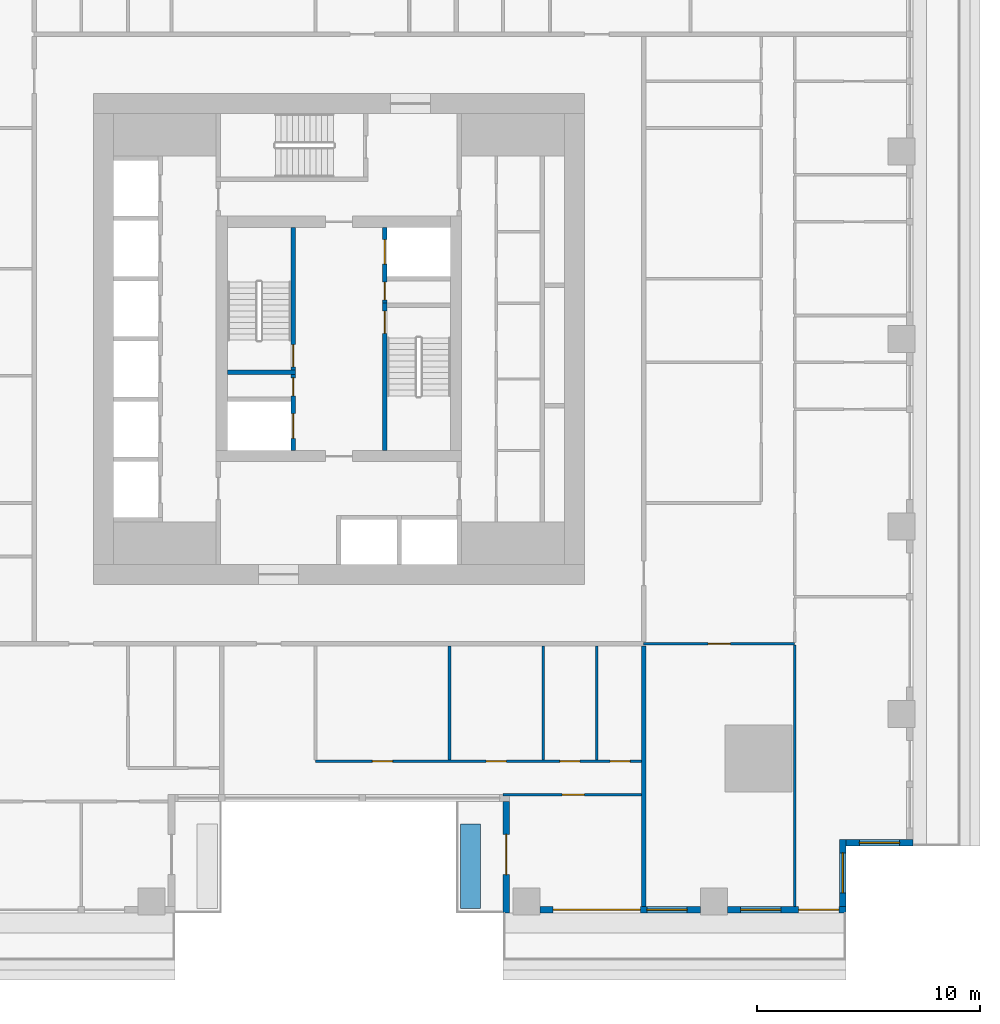
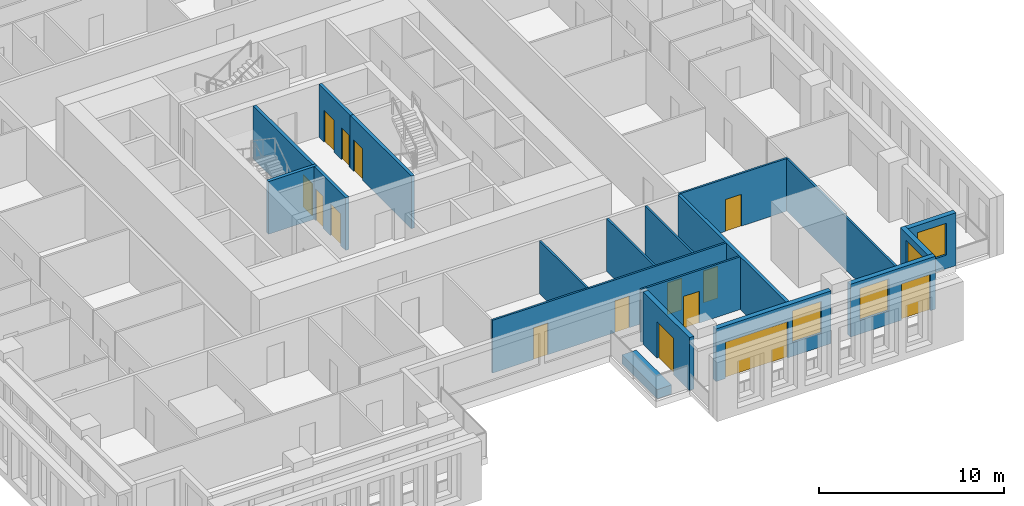
# One storey, part 4 of 15: 19 walls, 15 doors, 4 windows, 19 openings.
"""IFC4 building model written with IfcOpenShell, lengths in metres."""

from ifc_helpers import new_model, si_unit, direction, frame, frame_2d, origin, place, context, subcontext, project, spatial, rectangle, extrude, material, layer, layer_set, type_object, element, fill, save


model = new_model("IFC4")

# Units and contexts
model_context = context("Model", 3, precision=1e-05, world=origin(), true_north=direction((0.0, 1.0)))
body_context = subcontext(model_context, "Body", "Model", "MODEL_VIEW")
ifc_project = project(units=[si_unit("LENGTHUNIT", "METRE"), si_unit("AREAUNIT", "SQUARE_METRE"), si_unit("VOLUMEUNIT", "CUBIC_METRE"), si_unit("PLANEANGLEUNIT", "RADIAN"), si_unit("MASSUNIT", "GRAM", prefix="KILO")], contexts=[model_context])

# Site, building, storey
site_placement = place(None, origin())
site = spatial("IfcSite", under=ifc_project, at=site_placement, CompositionType="ELEMENT")
building_placement = place(site_placement, origin())
building = spatial("IfcBuilding", under=site, at=building_placement, Name="Khepri Terraces", CompositionType="ELEMENT")
storey_placement = place(building_placement, frame((0.0, 0.0, 42.60009765625)))
storey = spatial("IfcBuildingStorey", under=building, at=storey_placement, Name="L09", CompositionType="ELEMENT", Elevation=42.60009765625)

# Wall, opening, door
ifc_material_1 = material(Name="Concrete C80/95", Category="concrete")
ifc_layer_1 = layer(ifc_material_1, 0.199951171875, Name="Concrete C80/95", Category="concrete")
ifc_layer_set_1 = layer_set([ifc_layer_1], Name="Concrete C80/95")
wall_type_1 = type_object("IfcWallType", Name="Core wall 200 C80/95", PredefinedType="SHEAR", material=ifc_layer_set_1)
wall_1_placement = place(storey_placement, frame((2.050048828125, -5.0, 0.0), z_axis=(0.0, 0.0, 1.0), x_axis=(0.0, 1.0, 0.0)))
wall_1 = element("IfcWall", 1, at=wall_1_placement, inside=storey, type_object=wall_type_1, Name="Core wall ST01 L09", PredefinedType="SHEAR", context=body_context, shape_type="SweptSolid", body=[
    extrude(rectangle(XDim=6.60009765625, YDim=0.199951171875, at=frame_2d((3.300048828125, 0.0))), origin(), (0.0, 0.0, 1.0), 3.47998046875),
])
opening_1_placement = place(wall_1_placement, frame((5.25, 0.0, 0.0)))
opening_1 = element("IfcOpeningElement", 2, at=opening_1_placement, cuts=wall_1, Name="Opening L09-C10", PredefinedType="OPENING", context=body_context, shape_type="SweptSolid", body=[
    extrude(rectangle(XDim=1.0, YDim=2.10009765625, at=frame_2d((0.5, 1.050048828125))), frame((0.0, 0.10986328125, 0.0), z_axis=(0.0, -1.0, 0.0), x_axis=(1.0, 0.0, 0.0)), (0.0, 0.0, 1.0), 0.219970703125),
])
ifc_material_2 = material(Name="Painted steel", Category="steel")
door_type_1 = type_object("IfcDoorType", Name="DR-CORE-STAIR-1000", OperationType="NOTDEFINED", PredefinedType="DOOR", material=ifc_material_2)
door_1_placement = place(opening_1_placement, frame((1.0, 0.0, 0.0), z_axis=(0.0, 0.0, 1.0), x_axis=(-1.0, 0.0, 0.0)))
door_1 = element("IfcDoor", 3, at=door_1_placement, inside=storey, type_object=door_type_1, Name="Stair door L09-C10", OperationType="SINGLE_SWING_LEFT", OverallHeight=2.10009765625, OverallWidth=1.0, PredefinedType="DOOR", context=body_context, shape_type="SweptSolid", body=[
    extrude(rectangle(XDim=1.0, YDim=2.10009765625, at=frame_2d((0.5, 1.050048828125))), frame((0.0, 0.02490234375, 0.0), z_axis=(0.0, -1.0, 0.0), x_axis=(1.0, 0.0, 0.0)), (0.0, 0.0, 1.0), 0.050048828125),
])
fill(opening_1, door_1)

# Wall
wall_2_placement = place(storey_placement, frame((-5.0, -1.5, 0.0), z_axis=(0.0, 0.0, 1.0), x_axis=(1.0, 0.0, 0.0)))
element("IfcWall", 4, at=wall_2_placement, inside=storey, type_object=wall_type_1, Name="Core wall ST02 L09", PredefinedType="SHEAR", context=body_context, shape_type="SweptSolid", body=[
    extrude(rectangle(XDim=3.050048828125, YDim=0.199951171875, at=frame_2d((1.52490234375, 0.0))), origin(), (0.0, 0.0, 1.0), 3.47998046875),
])

# Wall, opening, door
wall_3_placement = place(storey_placement, frame((-2.050048828125, -1.39990234375, 0.0), z_axis=(0.0, 0.0, 1.0), x_axis=(0.0, 1.0, 0.0)))
wall_3 = element("IfcWall", 5, at=wall_3_placement, inside=storey, type_object=wall_type_1, Name="Core wall ST03 L09", PredefinedType="SHEAR", context=body_context, shape_type="SweptSolid", body=[
    extrude(rectangle(XDim=6.39990234375, YDim=0.199951171875, at=frame_2d((3.199951171875, 0.0))), origin(), (0.0, 0.0, 1.0), 3.47998046875),
])
opening_2_placement = place(wall_3_placement, frame((0.14990234375, 0.0, 0.0)))
opening_2 = element("IfcOpeningElement", 6, at=opening_2_placement, cuts=wall_3, Name="Opening L09-C09", PredefinedType="OPENING", context=body_context, shape_type="SweptSolid", body=[
    extrude(rectangle(XDim=1.0, YDim=2.10009765625, at=frame_2d((0.5, 1.050048828125))), frame((0.0, 0.10986328125, 0.0), z_axis=(0.0, -1.0, 0.0), x_axis=(1.0, 0.0, 0.0)), (0.0, 0.0, 1.0), 0.219970703125),
])
door_2_placement = place(opening_2_placement, origin())
door_2 = element("IfcDoor", 7, at=door_2_placement, inside=storey, type_object=door_type_1, Name="Stair door L09-C09", OperationType="SINGLE_SWING_LEFT", OverallHeight=2.10009765625, OverallWidth=1.0, PredefinedType="DOOR", context=body_context, shape_type="SweptSolid", body=[
    extrude(rectangle(XDim=1.0, YDim=2.10009765625, at=frame_2d((0.5, 1.050048828125))), frame((0.0, 0.02490234375, 0.0), z_axis=(0.0, -1.0, 0.0), x_axis=(1.0, 0.0, 0.0)), (0.0, 0.0, 1.0), 0.050048828125),
])
fill(opening_2, door_2)

# Wall, openings, doors
wall_4_placement = place(storey_placement, frame((-2.050048828125, -5.0, 0.0), z_axis=(0.0, 0.0, 1.0), x_axis=(0.0, 1.0, 0.0)))
wall_4 = element("IfcWall", 8, at=wall_4_placement, inside=storey, type_object=wall_type_1, Name="Core wall SH10 L09", PredefinedType="SHEAR", context=body_context, shape_type="SweptSolid", body=[
    extrude(rectangle(XDim=3.39990234375, YDim=0.199951171875, at=frame_2d((1.699951171875, 0.0))), origin(), (0.0, 0.0, 1.0), 3.47998046875),
])
opening_3_placement = place(wall_4_placement, frame((0.550048828125, 0.0, 0.0)))
opening_3 = element("IfcOpeningElement", 9, at=opening_3_placement, cuts=wall_4, Name="Opening L09-C08", PredefinedType="OPENING", context=body_context, shape_type="SweptSolid", body=[
    extrude(rectangle(XDim=1.10009765625, YDim=2.10009765625, at=frame_2d((0.550048828125, 1.050048828125))), frame((0.0, 0.10986328125, 0.0), z_axis=(0.0, -1.0, 0.0), x_axis=(1.0, 0.0, 0.0)), (0.0, 0.0, 1.0), 0.219970703125),
])
opening_4_placement = place(wall_4_placement, frame((2.449951171875, 0.0, 0.0)))
opening_4 = element("IfcOpeningElement", 10, at=opening_4_placement, cuts=wall_4, Name="Opening L09-C12", PredefinedType="OPENING", context=body_context, shape_type="SweptSolid", body=[
    extrude(rectangle(XDim=0.800048828125, YDim=2.10009765625, at=frame_2d((0.39990234375, 1.050048828125))), frame((0.0, 0.10986328125, 0.0), z_axis=(0.0, -1.0, 0.0), x_axis=(1.0, 0.0, 0.0)), (0.0, 0.0, 1.0), 0.219970703125),
])
ifc_material_3 = material(Name="Stainless steel 304", Category="steel")
door_type_2 = type_object("IfcDoorType", Name="DR-CORE-FF-LANDING-1100", OperationType="NOTDEFINED", PredefinedType="DOOR", material=ifc_material_3)
door_3_placement = place(opening_3_placement, origin())
door_3 = element("IfcDoor", 11, at=door_3_placement, inside=storey, type_object=door_type_2, Name="Firefighting lift landing door L09-C08", OperationType="SLIDING_TO_LEFT", OverallHeight=2.10009765625, OverallWidth=1.10009765625, PredefinedType="DOOR", context=body_context, shape_type="SweptSolid", body=[
    extrude(rectangle(XDim=1.10009765625, YDim=2.10009765625, at=frame_2d((0.550048828125, 1.050048828125))), frame((0.0, 0.02490234375, 0.0), z_axis=(0.0, -1.0, 0.0), x_axis=(1.0, 0.0, 0.0)), (0.0, 0.0, 1.0), 0.050048828125),
])
fill(opening_3, door_3)
door_type_3 = type_object("IfcDoorType", Name="DR-CORE-RISER-800", OperationType="NOTDEFINED", PredefinedType="DOOR", material=ifc_material_2)
door_4_placement = place(opening_4_placement, origin())
door_4 = element("IfcDoor", 12, at=door_4_placement, inside=storey, type_object=door_type_3, Name="Riser door L09-C12", OperationType="SINGLE_SWING_RIGHT", OverallHeight=2.10009765625, OverallWidth=0.800048828125, PredefinedType="DOOR", context=body_context, shape_type="SweptSolid", body=[
    extrude(rectangle(XDim=0.800048828125, YDim=2.10009765625, at=frame_2d((0.39990234375, 1.050048828125))), frame((0.0, 0.02490234375, 0.0), z_axis=(0.0, -1.0, 0.0), x_axis=(1.0, 0.0, 0.0)), (0.0, 0.0, 1.0), 0.050048828125),
])
fill(opening_4, door_4)

wall_5_placement = place(storey_placement, frame((2.050048828125, 1.60009765625, 0.0), z_axis=(0.0, 0.0, 1.0), x_axis=(0.0, 1.0, 0.0)))
wall_5 = element("IfcWall", 13, at=wall_5_placement, inside=storey, type_object=wall_type_1, Name="Core wall SH15 L09", PredefinedType="SHEAR", context=body_context, shape_type="SweptSolid", body=[
    extrude(rectangle(XDim=3.39990234375, YDim=0.199951171875, at=frame_2d((1.699951171875, 0.0))), origin(), (0.0, 0.0, 1.0), 3.47998046875),
])
opening_5_placement = place(wall_5_placement, frame((1.75, 0.0, 0.0)))
opening_5 = element("IfcOpeningElement", 14, at=opening_5_placement, cuts=wall_5, Name="Opening L09-C07", PredefinedType="OPENING", context=body_context, shape_type="SweptSolid", body=[
    extrude(rectangle(XDim=1.10009765625, YDim=2.10009765625, at=frame_2d((0.550048828125, 1.050048828125))), frame((0.0, 0.10986328125, 0.0), z_axis=(0.0, -1.0, 0.0), x_axis=(1.0, 0.0, 0.0)), (0.0, 0.0, 1.0), 0.219970703125),
])
opening_6_placement = place(wall_5_placement, frame((0.14990234375, 0.0, 0.0)))
opening_6 = element("IfcOpeningElement", 15, at=opening_6_placement, cuts=wall_5, Name="Opening L09-C11", PredefinedType="OPENING", context=body_context, shape_type="SweptSolid", body=[
    extrude(rectangle(XDim=0.800048828125, YDim=2.10009765625, at=frame_2d((0.39990234375, 1.050048828125))), frame((0.0, 0.10986328125, 0.0), z_axis=(0.0, -1.0, 0.0), x_axis=(1.0, 0.0, 0.0)), (0.0, 0.0, 1.0), 0.219970703125),
])
door_5_placement = place(opening_5_placement, origin())
door_5 = element("IfcDoor", 16, at=door_5_placement, inside=storey, type_object=door_type_2, Name="Firefighting lift landing door L09-C07", OperationType="SLIDING_TO_LEFT", OverallHeight=2.10009765625, OverallWidth=1.10009765625, PredefinedType="DOOR", context=body_context, shape_type="SweptSolid", body=[
    extrude(rectangle(XDim=1.10009765625, YDim=2.10009765625, at=frame_2d((0.550048828125, 1.050048828125))), frame((0.0, 0.02490234375, 0.0), z_axis=(0.0, -1.0, 0.0), x_axis=(1.0, 0.0, 0.0)), (0.0, 0.0, 1.0), 0.050048828125),
])
fill(opening_5, door_5)
door_6_placement = place(opening_6_placement, frame((0.800048828125, 0.0, 0.0), z_axis=(0.0, 0.0, 1.0), x_axis=(-1.0, 0.0, 0.0)))
door_6 = element("IfcDoor", 17, at=door_6_placement, inside=storey, type_object=door_type_3, Name="Riser door L09-C11", OperationType="SINGLE_SWING_RIGHT", OverallHeight=2.10009765625, OverallWidth=0.800048828125, PredefinedType="DOOR", context=body_context, shape_type="SweptSolid", body=[
    extrude(rectangle(XDim=0.800048828125, YDim=2.10009765625, at=frame_2d((0.39990234375, 1.050048828125))), frame((0.0, 0.02490234375, 0.0), z_axis=(0.0, -1.0, 0.0), x_axis=(1.0, 0.0, 0.0)), (0.0, 0.0, 1.0), 0.050048828125),
])
fill(opening_6, door_6)

# Wall
ifc_material_4 = material(Name="Fire-rated gypsum plasterboard partition, mineral wool")
ifc_layer_2 = layer(ifc_material_4, 0.199951171875, Name="Fire-rated gypsum plasterboard partition, mineral wool")
ifc_layer_set_2 = layer_set([ifc_layer_2], Name="Fire-rated gypsum plasterboard partition, mineral wool")
wall_type_2 = type_object("IfcWallType", Name="WL-CORR-200", PredefinedType="PARTITIONING", material=ifc_layer_set_2)
wall_6_placement = place(storey_placement, frame((13.64990234375, -25.419921875, 0.0), z_axis=(0.0, 0.0, 1.0), x_axis=(0.0, 1.0, 0.0)))
element("IfcWall", 18, at=wall_6_placement, inside=storey, type_object=wall_type_2, Name="Partition P-002 L09", PredefinedType="PARTITIONING", context=body_context, shape_type="SweptSolid", body=[
    extrude(rectangle(XDim=11.669921875, YDim=0.199951171875, at=frame_2d((5.8349609375, 0.0))), origin(), (0.0, 0.0, 1.0), 3.47998046875),
])

# Wall, opening, window
ifc_material_5 = material(Name="Precast concrete C50/60 warm stone", Category="masonry")
ifc_layer_3 = layer(ifc_material_5, 0.300048828125, Name="Precast concrete C50/60 warm stone", Category="masonry")
ifc_layer_set_3 = layer_set([ifc_layer_3], Name="Precast concrete C50/60 warm stone")
wall_type_3 = type_object("IfcWallType", Name="WL-EXT-PRECAST-300", PredefinedType="STANDARD", material=ifc_layer_set_3)
wall_7_placement = place(storey_placement, frame((22.719970703125, -22.570068359375, 0.0), z_axis=(0.0, 0.0, 1.0), x_axis=(1.0, 0.0, 0.0)))
wall_7 = element("IfcWall", 19, at=wall_7_placement, inside=storey, type_object=wall_type_3, Name="External wall L09 S", PredefinedType="STANDARD", context=body_context, shape_type="SweptSolid", body=[
    extrude(rectangle(XDim=3.0, YDim=0.300048828125, at=frame_2d((1.5, 0.0))), origin(), (0.0, 0.0, 1.0), 3.47998046875),
])
opening_7_placement = place(wall_7_placement, frame((0.60009765625, 0.0, 0.89990234375)))
opening_7 = element("IfcOpeningElement", 20, at=opening_7_placement, cuts=wall_7, Name="Opening W1", PredefinedType="OPENING", context=body_context, shape_type="SweptSolid", body=[
    extrude(rectangle(XDim=1.800048828125, YDim=2.10009765625, at=frame_2d((0.89990234375, 1.050048828125))), frame((0.0, 0.16015625, 0.0), z_axis=(0.0, -1.0, 0.0), x_axis=(1.0, 0.0, 0.0)), (0.0, 0.0, 1.0), 0.320068359375),
])
ifc_material_6 = material(Name="Clear glass", Category="glass")
window_type = type_object("IfcWindowType", Name="WIN-RES-1800x2100", PartitioningType="SINGLE_PANEL", PredefinedType="WINDOW", material=ifc_material_6)
window_1_placement = place(opening_7_placement, origin())
window_1 = element("IfcWindow", 21, at=window_1_placement, inside=storey, type_object=window_type, Name="Window L09 S", OverallHeight=2.10009765625, OverallWidth=1.800048828125, PartitioningType="SINGLE_PANEL", PredefinedType="WINDOW", context=body_context, shape_type="SweptSolid", body=[
    extrude(rectangle(XDim=1.800048828125, YDim=2.10009765625, at=frame_2d((0.89990234375, 1.050048828125))), frame((0.0, 0.030029296875, 0.0), z_axis=(0.0, -1.0, 0.0), x_axis=(1.0, 0.0, 0.0)), (0.0, 0.0, 1.0), 0.06005859375),
])
fill(opening_7, window_1)

# Wall, opening, door
wall_8_placement = place(storey_placement, frame((7.5, -20.719970703125, 0.0), z_axis=(0.0, 0.0, 1.0), x_axis=(0.0, -1.0, 0.0)))
wall_8 = element("IfcWall", 22, at=wall_8_placement, inside=storey, type_object=wall_type_3, Name="External wall L09 W", PredefinedType="STANDARD", context=body_context, shape_type="SweptSolid", body=[
    extrude(rectangle(XDim=5.0, YDim=0.300048828125, at=frame_2d((2.5, 0.0))), origin(), (0.0, 0.0, 1.0), 3.47998046875),
])
opening_8_placement = place(wall_8_placement, frame((1.47998046875, 0.0, 0.0)))
opening_8 = element("IfcOpeningElement", 23, at=opening_8_placement, cuts=wall_8, Name="Opening ED-L09-23", PredefinedType="OPENING", context=body_context, shape_type="SweptSolid", body=[
    extrude(rectangle(XDim=1.800048828125, YDim=2.39990234375, at=frame_2d((0.89990234375, 1.199951171875))), frame((0.0, 0.16015625, 0.0), z_axis=(0.0, -1.0, 0.0), x_axis=(1.0, 0.0, 0.0)), (0.0, 0.0, 1.0), 0.320068359375),
])
ifc_material_7 = material(Name="Anodised aluminium bronze glazed door", Category="aluminium")
door_type_4 = type_object("IfcDoorType", Name="DR-BAL-SLIDE-1800x2400", OperationType="NOTDEFINED", PredefinedType="DOOR", material=ifc_material_7)
door_7_placement = place(opening_8_placement, origin())
door_7 = element("IfcDoor", 24, at=door_7_placement, inside=storey, type_object=door_type_4, Name="Balcony door L09 W", OperationType="SLIDING_TO_RIGHT", OverallHeight=2.39990234375, OverallWidth=1.800048828125, PredefinedType="DOOR", context=body_context, shape_type="SweptSolid", body=[
    extrude(rectangle(XDim=1.800048828125, YDim=2.39990234375, at=frame_2d((0.89990234375, 1.199951171875))), frame((0.0, 0.02490234375, 0.0), z_axis=(0.0, -1.0, 0.0), x_axis=(1.0, 0.0, 0.0)), (0.0, 0.0, 1.0), 0.050048828125),
])
fill(opening_8, door_7)

# Wall, openings, door, window
wall_9_placement = place(storey_placement, frame((9.0, -25.570068359375, 0.0), z_axis=(0.0, 0.0, 1.0), x_axis=(1.0, 0.0, 0.0)))
wall_9 = element("IfcWall", 25, at=wall_9_placement, inside=storey, type_object=wall_type_3, Name="External wall L09 S", PredefinedType="STANDARD", context=body_context, shape_type="SweptSolid", body=[
    extrude(rectangle(XDim=7.199951171875, YDim=0.300048828125, at=frame_2d((3.60009765625, 0.0))), origin(), (0.0, 0.0, 1.0), 3.47998046875),
])
opening_9_placement = place(wall_9_placement, frame((0.60009765625, 0.0, 0.0)))
opening_9 = element("IfcOpeningElement", 26, at=opening_9_placement, cuts=wall_9, Name="Opening ED-L09-24", PredefinedType="OPENING", context=body_context, shape_type="SweptSolid", body=[
    extrude(rectangle(XDim=3.89990234375, YDim=2.39990234375, at=frame_2d((1.949951171875, 1.199951171875))), frame((0.0, 0.16015625, 0.0), z_axis=(0.0, -1.0, 0.0), x_axis=(1.0, 0.0, 0.0)), (0.0, 0.0, 1.0), 0.320068359375),
])
opening_10_placement = place(wall_9_placement, frame((4.800048828125, 0.0, 0.89990234375)))
opening_10 = element("IfcOpeningElement", 27, at=opening_10_placement, cuts=wall_9, Name="Opening W1", PredefinedType="OPENING", context=body_context, shape_type="SweptSolid", body=[
    extrude(rectangle(XDim=1.800048828125, YDim=2.10009765625, at=frame_2d((0.89990234375, 1.050048828125))), frame((0.0, 0.16015625, 0.0), z_axis=(0.0, -1.0, 0.0), x_axis=(1.0, 0.0, 0.0)), (0.0, 0.0, 1.0), 0.320068359375),
])
door_type_5 = type_object("IfcDoorType", Name="DR-BAL-SLIDE-3900x2400", OperationType="NOTDEFINED", PredefinedType="DOOR", material=ifc_material_7)
door_8_placement = place(opening_9_placement, origin())
door_8 = element("IfcDoor", 28, at=door_8_placement, inside=storey, type_object=door_type_5, Name="Balcony door L09 S", OperationType="SLIDING_TO_LEFT", OverallHeight=2.39990234375, OverallWidth=3.89990234375, PredefinedType="DOOR", context=body_context, shape_type="SweptSolid", body=[
    extrude(rectangle(XDim=3.89990234375, YDim=2.39990234375, at=frame_2d((1.949951171875, 1.199951171875))), frame((0.0, 0.02490234375, 0.0), z_axis=(0.0, -1.0, 0.0), x_axis=(1.0, 0.0, 0.0)), (0.0, 0.0, 1.0), 0.050048828125),
])
fill(opening_9, door_8)
window_2_placement = place(opening_10_placement, origin())
window_2 = element("IfcWindow", 29, at=window_2_placement, inside=storey, type_object=window_type, Name="Window L09 S", OverallHeight=2.10009765625, OverallWidth=1.800048828125, PartitioningType="SINGLE_PANEL", PredefinedType="WINDOW", context=body_context, shape_type="SweptSolid", body=[
    extrude(rectangle(XDim=1.800048828125, YDim=2.10009765625, at=frame_2d((0.89990234375, 1.050048828125))), frame((0.0, 0.030029296875, 0.0), z_axis=(0.0, -1.0, 0.0), x_axis=(1.0, 0.0, 0.0)), (0.0, 0.0, 1.0), 0.06005859375),
])
fill(opening_10, window_2)

wall_10_placement = place(storey_placement, frame((17.39990234375, -25.570068359375, 0.0), z_axis=(0.0, 0.0, 1.0), x_axis=(1.0, 0.0, 0.0)))
wall_10 = element("IfcWall", 30, at=wall_10_placement, inside=storey, type_object=wall_type_3, Name="External wall L09 S", PredefinedType="STANDARD", context=body_context, shape_type="SweptSolid", body=[
    extrude(rectangle(XDim=5.320068359375, YDim=0.300048828125, at=frame_2d((2.66015625, 0.0))), origin(), (0.0, 0.0, 1.0), 3.47998046875),
])
opening_11_placement = place(wall_10_placement, frame((0.60009765625, 0.0, 0.89990234375)))
opening_11 = element("IfcOpeningElement", 31, at=opening_11_placement, cuts=wall_10, Name="Opening W1", PredefinedType="OPENING", context=body_context, shape_type="SweptSolid", body=[
    extrude(rectangle(XDim=1.800048828125, YDim=2.10009765625, at=frame_2d((0.89990234375, 1.050048828125))), frame((0.0, 0.16015625, 0.0), z_axis=(0.0, -1.0, 0.0), x_axis=(1.0, 0.0, 0.0)), (0.0, 0.0, 1.0), 0.320068359375),
])
opening_12_placement = place(wall_10_placement, frame((3.195068359375, 0.0, 0.0)))
opening_12 = element("IfcOpeningElement", 32, at=opening_12_placement, cuts=wall_10, Name="Opening ED-L09-25", PredefinedType="OPENING", context=body_context, shape_type="SweptSolid", body=[
    extrude(rectangle(XDim=1.800048828125, YDim=2.39990234375, at=frame_2d((0.89990234375, 1.199951171875))), frame((0.0, 0.16015625, 0.0), z_axis=(0.0, -1.0, 0.0), x_axis=(1.0, 0.0, 0.0)), (0.0, 0.0, 1.0), 0.320068359375),
])
door_9_placement = place(opening_12_placement, origin())
door_9 = element("IfcDoor", 33, at=door_9_placement, inside=storey, type_object=door_type_4, Name="Balcony door L09 S", OperationType="SLIDING_TO_RIGHT", OverallHeight=2.39990234375, OverallWidth=1.800048828125, PredefinedType="DOOR", context=body_context, shape_type="SweptSolid", body=[
    extrude(rectangle(XDim=1.800048828125, YDim=2.39990234375, at=frame_2d((0.89990234375, 1.199951171875))), frame((0.0, 0.02490234375, 0.0), z_axis=(0.0, -1.0, 0.0), x_axis=(1.0, 0.0, 0.0)), (0.0, 0.0, 1.0), 0.050048828125),
])
fill(opening_12, door_9)
window_3_placement = place(opening_11_placement, origin())
window_3 = element("IfcWindow", 34, at=window_3_placement, inside=storey, type_object=window_type, Name="Window L09 S", OverallHeight=2.10009765625, OverallWidth=1.800048828125, PartitioningType="SINGLE_PANEL", PredefinedType="WINDOW", context=body_context, shape_type="SweptSolid", body=[
    extrude(rectangle(XDim=1.800048828125, YDim=2.10009765625, at=frame_2d((0.89990234375, 1.050048828125))), frame((0.0, 0.030029296875, 0.0), z_axis=(0.0, -1.0, 0.0), x_axis=(1.0, 0.0, 0.0)), (0.0, 0.0, 1.0), 0.06005859375),
])
fill(opening_11, window_3)

# Wall, opening, window
wall_11_placement = place(storey_placement, frame((22.570068359375, -25.419921875, 0.0), z_axis=(0.0, 0.0, 1.0), x_axis=(0.0, 1.0, 0.0)))
wall_11 = element("IfcWall", 35, at=wall_11_placement, inside=storey, type_object=wall_type_3, Name="External wall L09 E", PredefinedType="STANDARD", context=body_context, shape_type="SweptSolid", body=[
    extrude(rectangle(XDim=3.0, YDim=0.300048828125, at=frame_2d((1.5, 0.0))), origin(), (0.0, 0.0, 1.0), 3.47998046875),
])
opening_13_placement = place(wall_11_placement, frame((0.60009765625, 0.0, 0.89990234375)))
opening_13 = element("IfcOpeningElement", 36, at=opening_13_placement, cuts=wall_11, Name="Opening W1", PredefinedType="OPENING", context=body_context, shape_type="SweptSolid", body=[
    extrude(rectangle(XDim=1.800048828125, YDim=2.10009765625, at=frame_2d((0.89990234375, 1.050048828125))), frame((0.0, 0.16015625, 0.0), z_axis=(0.0, -1.0, 0.0), x_axis=(1.0, 0.0, 0.0)), (0.0, 0.0, 1.0), 0.320068359375),
])
window_4_placement = place(opening_13_placement, origin())
window_4 = element("IfcWindow", 37, at=window_4_placement, inside=storey, type_object=window_type, Name="Window L09 E", OverallHeight=2.10009765625, OverallWidth=1.800048828125, PartitioningType="SINGLE_PANEL", PredefinedType="WINDOW", context=body_context, shape_type="SweptSolid", body=[
    extrude(rectangle(XDim=1.800048828125, YDim=2.10009765625, at=frame_2d((0.89990234375, 1.050048828125))), frame((0.0, 0.030029296875, 0.0), z_axis=(0.0, -1.0, 0.0), x_axis=(1.0, 0.0, 0.0)), (0.0, 0.0, 1.0), 0.06005859375),
])
fill(opening_13, window_4)

# Wall
ifc_material_8 = material(Name="Gypsum plasterboard partition")
ifc_layer_4 = layer(ifc_material_8, 0.1201171875, Name="Gypsum plasterboard partition")
ifc_layer_set_4 = layer_set([ifc_layer_4], Name="Gypsum plasterboard partition")
wall_type_4 = type_object("IfcWallType", Name="WL-PART-120", PredefinedType="PARTITIONING", material=ifc_layer_set_4)
wall_12_placement = place(storey_placement, frame((20.419921875, -25.419921875, 0.0), z_axis=(0.0, 0.0, 1.0), x_axis=(0.0, 1.0, 0.0)))
element("IfcWall", 38, at=wall_12_placement, inside=storey, type_object=wall_type_4, Name="Partition P-003 L09", PredefinedType="PARTITIONING", context=body_context, shape_type="SweptSolid", body=[
    extrude(rectangle(XDim=11.7099609375, YDim=0.1201171875, at=frame_2d((5.85498046875, 0.0))), origin(), (0.0, 0.0, 1.0), 3.47998046875),
])

# Wall, opening, door
wall_13_placement = place(storey_placement, frame((7.35009765625, -20.419921875, 0.0), z_axis=(0.0, 0.0, 1.0), x_axis=(1.0, 0.0, 0.0)))
wall_13 = element("IfcWall", 39, at=wall_13_placement, inside=storey, type_object=wall_type_4, Name="Partition P-009 L09", PredefinedType="PARTITIONING", context=body_context, shape_type="SweptSolid", body=[
    extrude(rectangle(XDim=6.199951171875, YDim=0.1201171875, at=frame_2d((3.10009765625, 0.0))), origin(), (0.0, 0.0, 1.0), 3.47998046875),
])
opening_14_placement = place(wall_13_placement, frame((2.64990234375, 0.0, 0.0)))
opening_14 = element("IfcOpeningElement", 40, at=opening_14_placement, cuts=wall_13, Name="Opening D2", PredefinedType="OPENING", context=body_context, shape_type="SweptSolid", body=[
    extrude(rectangle(XDim=1.0, YDim=2.10009765625, at=frame_2d((0.5, 1.050048828125))), frame((0.0, 0.070068359375, 0.0), z_axis=(0.0, -1.0, 0.0), x_axis=(1.0, 0.0, 0.0)), (0.0, 0.0, 1.0), 0.14013671875),
])
ifc_material_9 = material(Name="Timber door leaf, living room door", Category="wood")
door_type_6 = type_object("IfcDoorType", Name="DR-INT-1000", OperationType="NOTDEFINED", PredefinedType="DOOR", material=ifc_material_9)
door_10_placement = place(opening_14_placement, frame((1.0, 0.0, 0.0), z_axis=(0.0, 0.0, 1.0), x_axis=(-1.0, 0.0, 0.0)))
door_10 = element("IfcDoor", 41, at=door_10_placement, inside=storey, type_object=door_type_6, Name="Door Living Room", OperationType="SINGLE_SWING_LEFT", OverallHeight=2.10009765625, OverallWidth=1.0, PredefinedType="DOOR", context=body_context, shape_type="SweptSolid", body=[
    extrude(rectangle(XDim=1.0, YDim=2.10009765625, at=frame_2d((0.5, 1.050048828125))), frame((0.0, 0.02490234375, 0.0), z_axis=(0.0, -1.0, 0.0), x_axis=(1.0, 0.0, 0.0)), (0.0, 0.0, 1.0), 0.050048828125),
])
fill(opening_14, door_10)

# Wall, openings, doors
wall_14_placement = place(storey_placement, frame((-1.050048828125, -18.919921875, 0.0), z_axis=(0.0, 0.0, 1.0), x_axis=(1.0, 0.0, 0.0)))
wall_14 = element("IfcWall", 42, at=wall_14_placement, inside=storey, type_object=wall_type_4, Name="Partition P-013 L09", PredefinedType="PARTITIONING", context=body_context, shape_type="SweptSolid", body=[
    extrude(rectangle(XDim=14.60009765625, YDim=0.1201171875, at=frame_2d((7.300048828125, 0.0))), origin(), (0.0, 0.0, 1.0), 3.47998046875),
])
opening_15_placement = place(wall_14_placement, frame((2.550048828125, 0.0, 0.0)))
opening_15 = element("IfcOpeningElement", 43, at=opening_15_placement, cuts=wall_14, Name="Opening D3", PredefinedType="OPENING", context=body_context, shape_type="SweptSolid", body=[
    extrude(rectangle(XDim=0.89990234375, YDim=2.10009765625, at=frame_2d((0.449951171875, 1.050048828125))), frame((0.0, 0.070068359375, 0.0), z_axis=(0.0, -1.0, 0.0), x_axis=(1.0, 0.0, 0.0)), (0.0, 0.0, 1.0), 0.14013671875),
])
opening_16_placement = place(wall_14_placement, frame((7.64990234375, 0.0, 0.0)))
opening_16 = element("IfcOpeningElement", 44, at=opening_16_placement, cuts=wall_14, Name="Opening D3", PredefinedType="OPENING", context=body_context, shape_type="SweptSolid", body=[
    extrude(rectangle(XDim=0.89990234375, YDim=2.10009765625, at=frame_2d((0.449951171875, 1.050048828125))), frame((0.0, 0.070068359375, 0.0), z_axis=(0.0, -1.0, 0.0), x_axis=(1.0, 0.0, 0.0)), (0.0, 0.0, 1.0), 0.14013671875),
])
opening_17_placement = place(wall_14_placement, frame((10.949951171875, 0.0, 0.0)))
opening_17 = element("IfcOpeningElement", 45, at=opening_17_placement, cuts=wall_14, Name="Opening D4", PredefinedType="OPENING", context=body_context, shape_type="SweptSolid", body=[
    extrude(rectangle(XDim=0.89990234375, YDim=2.10009765625, at=frame_2d((0.449951171875, 1.050048828125))), frame((0.0, 0.070068359375, 0.0), z_axis=(0.0, -1.0, 0.0), x_axis=(1.0, 0.0, 0.0)), (0.0, 0.0, 1.0), 0.14013671875),
])
opening_18_placement = place(wall_14_placement, frame((13.199951171875, 0.0, 0.0)))
opening_18 = element("IfcOpeningElement", 46, at=opening_18_placement, cuts=wall_14, Name="Opening D4", PredefinedType="OPENING", context=body_context, shape_type="SweptSolid", body=[
    extrude(rectangle(XDim=0.89990234375, YDim=2.10009765625, at=frame_2d((0.449951171875, 1.050048828125))), frame((0.0, 0.070068359375, 0.0), z_axis=(0.0, -1.0, 0.0), x_axis=(1.0, 0.0, 0.0)), (0.0, 0.0, 1.0), 0.14013671875),
])
ifc_material_10 = material(Name="Timber door leaf", Category="wood")
door_type_7 = type_object("IfcDoorType", Name="DR-INT-900", OperationType="NOTDEFINED", PredefinedType="DOOR", material=ifc_material_10)
door_11_placement = place(opening_15_placement, origin())
door_11 = element("IfcDoor", 47, at=door_11_placement, inside=storey, type_object=door_type_7, Name="Door Kitchen", OperationType="SINGLE_SWING_LEFT", OverallHeight=2.10009765625, OverallWidth=0.89990234375, PredefinedType="DOOR", context=body_context, shape_type="SweptSolid", body=[
    extrude(rectangle(XDim=0.89990234375, YDim=2.10009765625, at=frame_2d((0.449951171875, 1.050048828125))), frame((0.0, 0.02490234375, 0.0), z_axis=(0.0, -1.0, 0.0), x_axis=(1.0, 0.0, 0.0)), (0.0, 0.0, 1.0), 0.050048828125),
])
fill(opening_15, door_11)
door_12_placement = place(opening_16_placement, origin())
door_12 = element("IfcDoor", 48, at=door_12_placement, inside=storey, type_object=door_type_7, Name="Door Staff Bedroom", OperationType="SINGLE_SWING_RIGHT", OverallHeight=2.10009765625, OverallWidth=0.89990234375, PredefinedType="DOOR", context=body_context, shape_type="SweptSolid", body=[
    extrude(rectangle(XDim=0.89990234375, YDim=2.10009765625, at=frame_2d((0.449951171875, 1.050048828125))), frame((0.0, 0.02490234375, 0.0), z_axis=(0.0, -1.0, 0.0), x_axis=(1.0, 0.0, 0.0)), (0.0, 0.0, 1.0), 0.050048828125),
])
fill(opening_16, door_12)
ifc_material_11 = material(Name="Timber door leaf, moisture resistant", Category="wood")
door_type_8 = type_object("IfcDoorType", Name="DR-WET-900", OperationType="NOTDEFINED", PredefinedType="DOOR", material=ifc_material_11)
door_13_placement = place(opening_17_placement, origin())
door_13 = element("IfcDoor", 49, at=door_13_placement, inside=storey, type_object=door_type_8, Name="Door Powder Room", OperationType="SINGLE_SWING_RIGHT", OverallHeight=2.10009765625, OverallWidth=0.89990234375, PredefinedType="DOOR", context=body_context, shape_type="SweptSolid", body=[
    extrude(rectangle(XDim=0.89990234375, YDim=2.10009765625, at=frame_2d((0.449951171875, 1.050048828125))), frame((0.0, 0.02490234375, 0.0), z_axis=(0.0, -1.0, 0.0), x_axis=(1.0, 0.0, 0.0)), (0.0, 0.0, 1.0), 0.050048828125),
])
fill(opening_17, door_13)
door_14_placement = place(opening_18_placement, origin())
door_14 = element("IfcDoor", 50, at=door_14_placement, inside=storey, type_object=door_type_8, Name="Door Guest Bathroom", OperationType="SINGLE_SWING_RIGHT", OverallHeight=2.10009765625, OverallWidth=0.89990234375, PredefinedType="DOOR", context=body_context, shape_type="SweptSolid", body=[
    extrude(rectangle(XDim=0.89990234375, YDim=2.10009765625, at=frame_2d((0.449951171875, 1.050048828125))), frame((0.0, 0.02490234375, 0.0), z_axis=(0.0, -1.0, 0.0), x_axis=(1.0, 0.0, 0.0)), (0.0, 0.0, 1.0), 0.050048828125),
])
fill(opening_18, door_14)

# Walls
for number, where, z_axis, x_axis, name in (
    (51, (4.949951171875, -18.860107421875, 0.0), (0.0, 0.0, 1.0), (0.0, 1.0, 0.0), "Partition P-015 L09"),
    (52, (9.14990234375, -18.860107421875, 0.0), (0.0, 0.0, 1.0), (0.0, 1.0, 0.0), "Partition P-016 L09"),
    (53, (11.550048828125, -18.860107421875, 0.0), (0.0, 0.0, 1.0), (0.0, 1.0, 0.0), "Partition P-017 L09"),
):
    element("IfcWall", number, at=place(storey_placement, frame(where, z_axis=z_axis, x_axis=x_axis)), inside=storey, type_object=wall_type_4, Name=name, PredefinedType="PARTITIONING", context=body_context, shape_type="SweptSolid", body=[
        extrude(rectangle(XDim=5.110107421875, YDim=0.1201171875, at=frame_2d((2.55517578125, 0.0))), origin(), (0.0, 0.0, 1.0), 3.47998046875),
    ])

# Wall, opening, door
wall_15_placement = place(storey_placement, frame((13.64990234375, -13.64990234375, 0.0), z_axis=(0.0, 0.0, 1.0), x_axis=(1.0, 0.0, 0.0)))
wall_15 = element("IfcWall", 54, at=wall_15_placement, inside=storey, type_object=wall_type_4, Name="Partition P-019 L09", PredefinedType="PARTITIONING", context=body_context, shape_type="SweptSolid", body=[
    extrude(rectangle(XDim=6.77001953125, YDim=0.1201171875, at=frame_2d((3.385009765625, 0.0))), origin(), (0.0, 0.0, 1.0), 3.47998046875),
])
opening_19_placement = place(wall_15_placement, frame((2.885009765625, 0.0, 0.0)))
opening_19 = element("IfcOpeningElement", 55, at=opening_19_placement, cuts=wall_15, Name="Opening D2", PredefinedType="OPENING", context=body_context, shape_type="SweptSolid", body=[
    extrude(rectangle(XDim=1.0, YDim=2.10009765625, at=frame_2d((0.5, 1.050048828125))), frame((0.0, 0.070068359375, 0.0), z_axis=(0.0, -1.0, 0.0), x_axis=(1.0, 0.0, 0.0)), (0.0, 0.0, 1.0), 0.14013671875),
])
door_15_placement = place(opening_19_placement, frame((1.0, 0.0, 0.0), z_axis=(0.0, 0.0, 1.0), x_axis=(-1.0, 0.0, 0.0)))
door_15 = element("IfcDoor", 56, at=door_15_placement, inside=storey, type_object=door_type_6, Name="Door Family Room", OperationType="SINGLE_SWING_RIGHT", OverallHeight=2.10009765625, OverallWidth=1.0, PredefinedType="DOOR", context=body_context, shape_type="SweptSolid", body=[
    extrude(rectangle(XDim=1.0, YDim=2.10009765625, at=frame_2d((0.5, 1.050048828125))), frame((0.0, 0.02490234375, 0.0), z_axis=(0.0, -1.0, 0.0), x_axis=(1.0, 0.0, 0.0)), (0.0, 0.0, 1.0), 0.050048828125),
])
fill(opening_19, door_15)

# Wall
ifc_layer_5 = layer(ifc_material_5, 0.89990234375, Name="Precast concrete C50/60 warm stone", Category="masonry")
ifc_layer_set_5 = layer_set([ifc_layer_5], Name="Precast concrete C50/60 warm stone")
wall_type_5 = type_object("IfcWallType", Name="WL-PLANTER-900", PredefinedType="MOVABLE", material=ifc_layer_set_5)
wall_16_placement = place(storey_placement, frame((5.89990234375, -25.52001953125, 0.0), z_axis=(0.0, 0.0, 1.0), x_axis=(0.0, 1.0, 0.0)))
element("IfcWall", 57, at=wall_16_placement, inside=storey, type_object=wall_type_5, Name="Planter L09", PredefinedType="MOVABLE", context=body_context, shape_type="SweptSolid", body=[
    extrude(rectangle(XDim=3.800048828125, YDim=0.89990234375, at=frame_2d((1.89990234375, 0.0))), origin(), (0.0, 0.0, 1.0), 0.599853515625),
])

save(model, "model.ifc")
